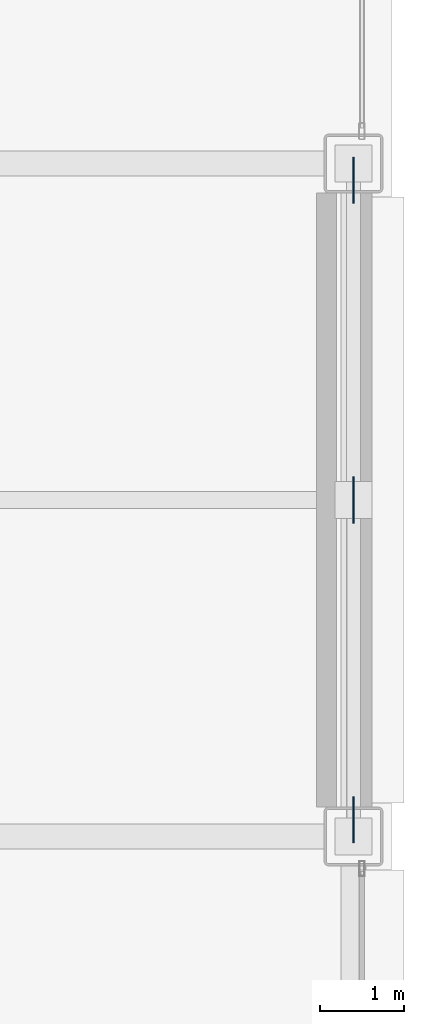
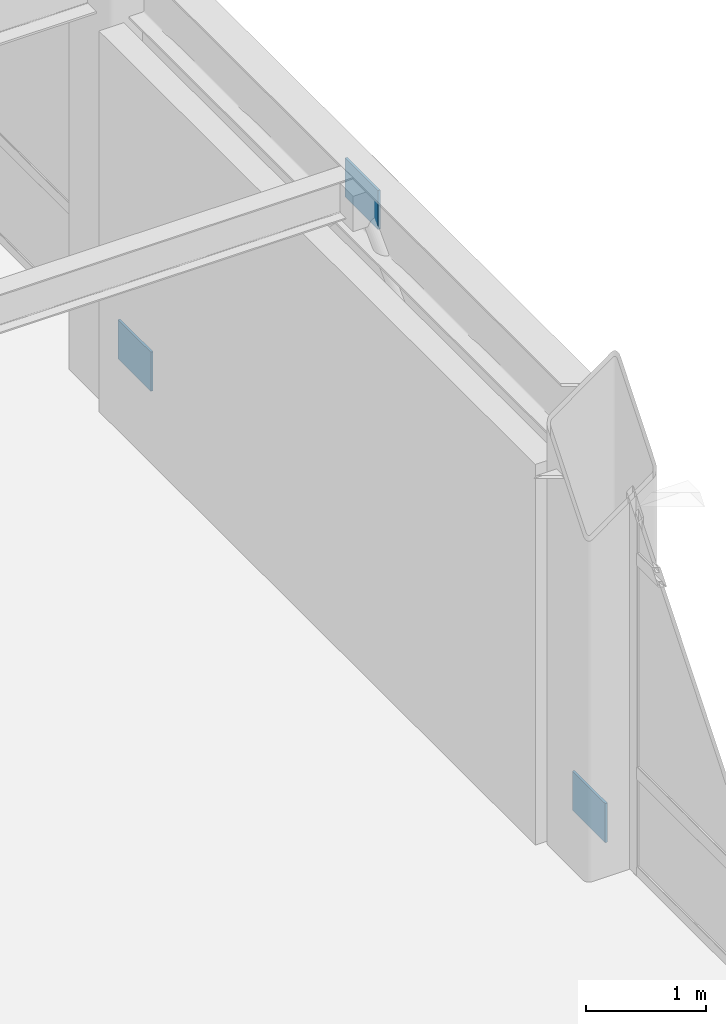
# One storey, part 130 of 154: 3 plates.
"""IFC4 building model written with IfcOpenShell, lengths in metres."""

from ifc_helpers import new_model, si_unit, direction, frame, origin, origin_2d, place, context, subcontext, project, spatial, rectangle, extrude, material, layer, layer_set, type_object, element, save


model = new_model("IFC4")

# Units and contexts
model_context = context("Model", 3, precision=1e-05, world=origin(), true_north=direction((0.0, 1.0)))
body_context = subcontext(model_context, "Body", "Model", "MODEL_VIEW")
ifc_project = project(units=[si_unit("LENGTHUNIT", "METRE"), si_unit("AREAUNIT", "SQUARE_METRE"), si_unit("VOLUMEUNIT", "CUBIC_METRE"), si_unit("PLANEANGLEUNIT", "RADIAN"), si_unit("MASSUNIT", "GRAM", prefix="KILO")], contexts=[model_context])

# Site, building, storey
site_placement = place(None, origin())
site = spatial("IfcSite", under=ifc_project, at=site_placement, CompositionType="ELEMENT")
building_placement = place(site_placement, origin())
building = spatial("IfcBuilding", under=site, at=building_placement, Name="Kazehara Bluff Congress Hotel", CompositionType="ELEMENT")
storey_placement = place(building_placement, frame((0.0, 0.0, 10.199951171875)))
storey = spatial("IfcBuildingStorey", under=building, at=storey_placement, Name="L02", CompositionType="ELEMENT", Elevation=10.199951171875)

# Plates
ifc_material = material(Name="Steel SN490B", Category="steel")
ifc_layer = layer(ifc_material, 0.02197265625)
ifc_layer_set = layer_set([ifc_layer], Name="Steel SN490B")
plate_type = type_object("IfcPlateType", Name="TP-GS-PL2", PredefinedType="USERDEFINED", material=ifc_layer_set)
for number, where, z_axis, x_axis, name in (
    (1, (167.550048828125, 8.199951171875, 0.130126953125), (0.0, 0.0, 1.0), (1.0, 0.0, 0.0), "Chevron foot gusset plate GS-PL2 4"),
    (2, (167.550048828125, 15.800048828125, 0.130126953125), (0.0, 0.0, 1.0), (1.0, 0.0, 0.0), "Chevron foot gusset plate GS-PL2 5"),
    (3, (167.550048828125, 12.0, 4.085205078125), (0.0, 0.0, 1.0), (1.0, 0.0, 0.0), "Chevron gusset plate GS-PL2 6"),
):
    element("IfcPlate", number, at=place(storey_placement, frame(where, z_axis=z_axis, x_axis=x_axis)), inside=storey, type_object=plate_type, Name=name, ObjectType="GUSSET_PLATE", PredefinedType="USERDEFINED", context=body_context, shape_type="SweptSolid", body=[
        extrude(rectangle(XDim=0.02197265625, YDim=0.550048828125, at=origin_2d()), origin(), (0.0, 0.0, 1.0), 0.39990234375),
    ])

save(model, "model.ifc")
